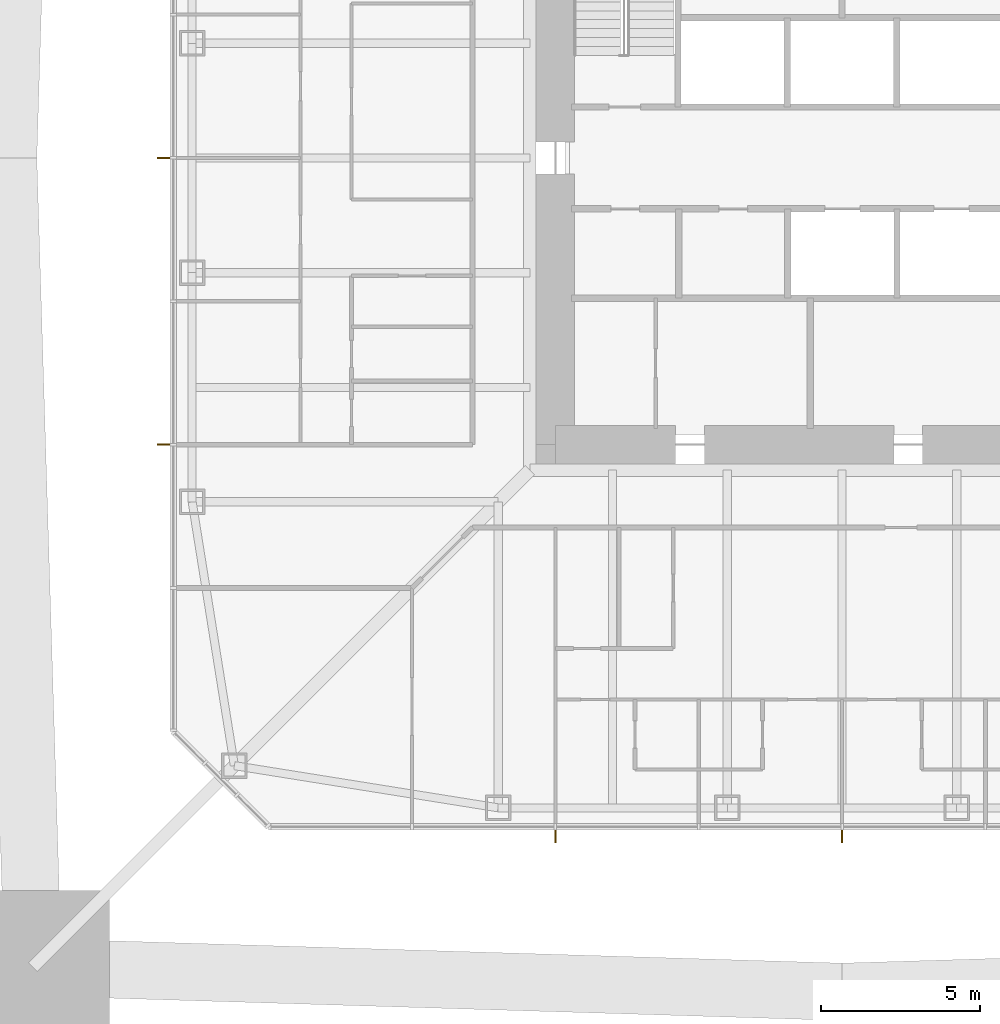
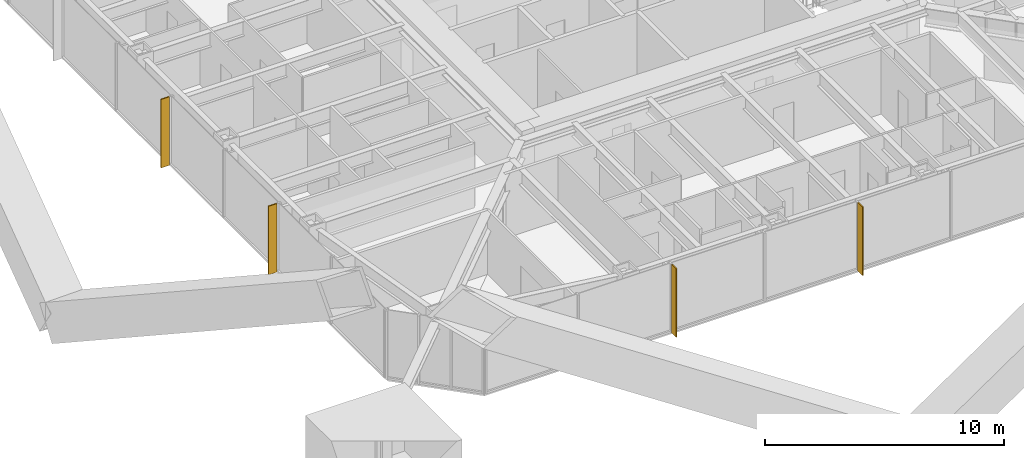
# One storey, part 24 of 28: 4 shading devices.
"""IFC4 building model written with IfcOpenShell, lengths in metres."""

from ifc_helpers import new_model, si_unit, direction, frame, origin, origin_2d, place, context, subcontext, project, spatial, rectangle, extrude, material, layer, layer_set, type_object, element, save


model = new_model("IFC4")

# Units and contexts
model_context = context("Model", 3, precision=1e-05, world=origin(), true_north=direction((0.0, 1.0)))
body_context = subcontext(model_context, "Body", "Model", "MODEL_VIEW")
ifc_project = project(units=[si_unit("LENGTHUNIT", "METRE"), si_unit("AREAUNIT", "SQUARE_METRE"), si_unit("VOLUMEUNIT", "CUBIC_METRE"), si_unit("PLANEANGLEUNIT", "RADIAN"), si_unit("MASSUNIT", "GRAM", prefix="KILO")], contexts=[model_context])

# Site, building, storey
site_placement = place(None, origin())
site = spatial("IfcSite", under=ifc_project, at=site_placement, CompositionType="ELEMENT")
building_placement = place(site_placement, origin())
building = spatial("IfcBuilding", under=site, at=building_placement, Name="Iwan Alto Co-Living Towers", CompositionType="ELEMENT")
storey_placement = place(building_placement, frame((0.0, 0.0, 98.0)))
storey = spatial("IfcBuildingStorey", under=building, at=storey_placement, Name="L26", CompositionType="ELEMENT", Elevation=98.0)

# Shading devices
ifc_material = material(Name="Aluminium 6063-T6 bronze anodised", Category="aluminium")
ifc_layer = layer(ifc_material, 0.050048828125)
ifc_layer_set = layer_set([ifc_layer], Name="BRONZE FIN 50X400")
shading_device_type = type_object("IfcShadingDeviceType", Name="BRONZE FIN 50X400", PredefinedType="USERDEFINED", material=ifc_layer_set)
for number, where, z_axis, x_axis, name in (
    (1, (-9.0, -21.300048828125, 0.0), (0.0, 0.0, 1.0), (1.0, 0.0, 0.0), "Bronze fin L26"),
    (2, (0.0, -21.300048828125, 0.0), (0.0, 0.0, 1.0), (1.0, 0.0, 0.0), "Bronze fin L26"),
    (3, (-21.300048828125, 0.0, 0.0), (0.0, 0.0, 1.0), (0.0, -1.0, 0.0), "Bronze fin L26"),
    (4, (-21.300048828125, -9.0, 0.0), (0.0, 0.0, 1.0), (0.0, -1.0, 0.0), "Bronze fin L26"),
):
    element("IfcShadingDevice", number, at=place(storey_placement, frame(where, z_axis=z_axis, x_axis=x_axis)), inside=storey, type_object=shading_device_type, Name=name, ObjectType="LOUVER", PredefinedType="USERDEFINED", context=body_context, shape_type="SweptSolid", body=[
        extrude(rectangle(XDim=0.050048828125, YDim=0.39990234375, at=origin_2d()), origin(), (0.0, 0.0, 1.0), 3.5),
    ])

save(model, "model.ifc")
